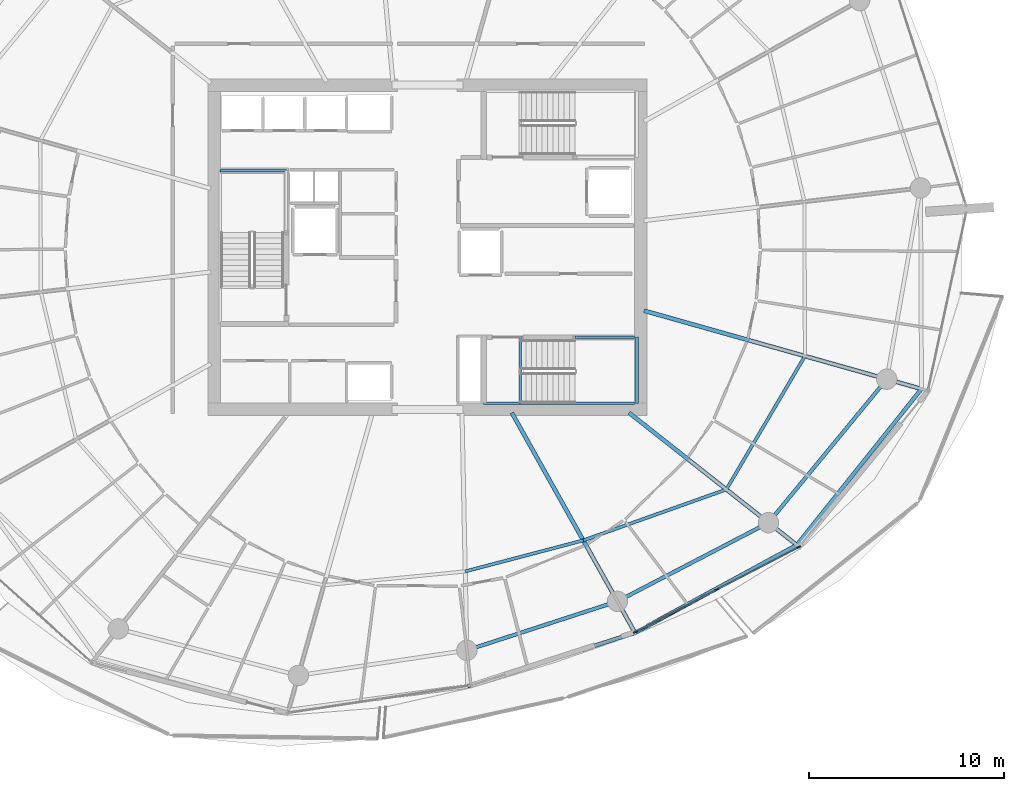
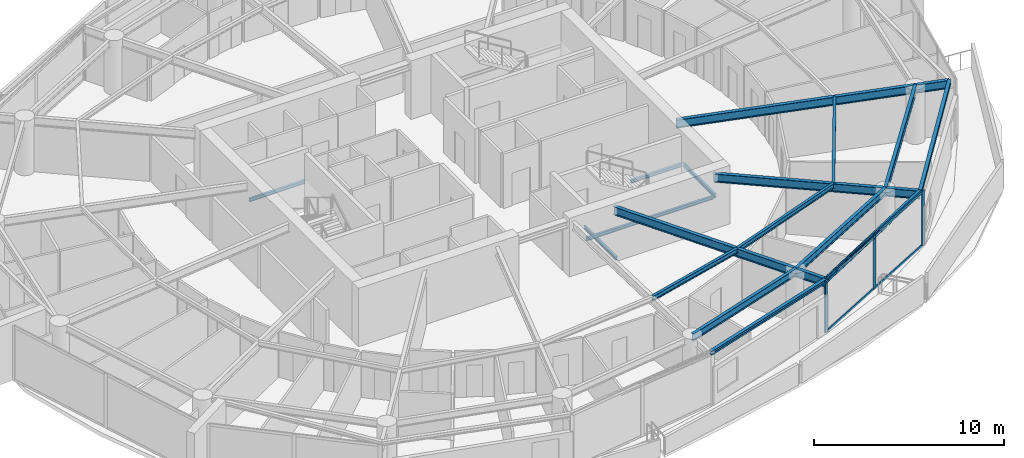
# One storey, part 6 of 21: 17 beams, 7 members, 1 element without a shape of its own.
"""IFC4 building model written with IfcOpenShell, lengths in metres."""

from ifc_helpers import new_model, si_unit, direction, frame, origin, origin_2d, place, context, subcontext, project, spatial, rectangle, i_section, extrude, material, layer, layer_set, material_profile, profile_set, type_object, element, aggregate, save


model = new_model("IFC4")

# Units and contexts
model_context = context("Model", 3, precision=1e-05, world=origin(), true_north=direction((0.0, 1.0)))
body_context = subcontext(model_context, "Body", "Model", "MODEL_VIEW")
ifc_project = project(units=[si_unit("LENGTHUNIT", "METRE"), si_unit("AREAUNIT", "SQUARE_METRE"), si_unit("VOLUMEUNIT", "CUBIC_METRE"), si_unit("PLANEANGLEUNIT", "RADIAN"), si_unit("MASSUNIT", "GRAM", prefix="KILO")], contexts=[model_context])

# Site, building, storey
site_placement = place(None, origin())
site = spatial("IfcSite", under=ifc_project, at=site_placement, CompositionType="ELEMENT")
building_placement = place(site_placement, origin())
building = spatial("IfcBuilding", under=site, at=building_placement, Name="Kazma Halo Residences", CompositionType="ELEMENT")
storey_placement = place(building_placement, frame((0.0, 0.0, 187.800048828125)))
storey = spatial("IfcBuildingStorey", under=building, at=storey_placement, Name="L47", CompositionType="ELEMENT", Elevation=187.800048828125)

# Beams
ifc_material_1 = material(Name="Steel S355", Category="steel")
ifc_material_profile_1 = material_profile(ifc_material_1, i_section(OverallWidth=0.201904296875, OverallDepth=0.2470703125, WebThickness=0.00732421875, FlangeThickness=0.010986328125, FilletRadius=0.011962890625, at=origin_2d()), Name="W250x49.1")
ifc_profile_set_1 = profile_set([ifc_material_profile_1], Name="Steel S355")
beam_type_1 = type_object("IfcBeamType", Name="BM-BAL-CANT", PredefinedType="BEAM", material=ifc_profile_set_1)
beam_1_placement = place(storey_placement, frame((50.48779296875, 19.45068359375, 3.37646484375), z_axis=(0.952538666424, 0.30441762263, 0.0), x_axis=(-0.30441762263, 0.952538666424, 0.0)))
element("IfcBeam", 1, at=beam_1_placement, inside=storey, type_object=beam_type_1, Name="L47 wave-balcony tie beam 12", PredefinedType="BEAM", context=body_context, shape_type="SweptSolid", body=[
    extrude(i_section(OverallWidth=0.201904296875, OverallDepth=0.2470703125, WebThickness=0.00732421875, FlangeThickness=0.010986328125, FilletRadius=0.011962890625, at=origin_2d()), origin(), (0.0, 0.0, 1.0), 9.029541015625),
])
beam_2_placement = place(storey_placement, frame((59.0888671875, 22.199462890625, 3.37646484375), z_axis=(0.878890557257, 0.477023467309, 0.0), x_axis=(-0.477023467309, 0.878890557257, 0.0)))
element("IfcBeam", 2, at=beam_2_placement, inside=storey, type_object=beam_type_1, Name="L47 wave-balcony tie beam 13", PredefinedType="BEAM", context=body_context, shape_type="SweptSolid", body=[
    extrude(i_section(OverallWidth=0.201904296875, OverallDepth=0.2470703125, WebThickness=0.00732421875, FlangeThickness=0.010986328125, FilletRadius=0.011962890625, at=origin_2d()), origin(), (0.0, 0.0, 1.0), 9.452880859375),
])
beam_3_placement = place(storey_placement, frame((67.39697265625, 26.708740234375, 3.37646484375), z_axis=(0.624195724924, 0.781268005864, 0.0), x_axis=(-0.781268005864, 0.624195724924, 0.0)))
element("IfcBeam", 3, at=beam_3_placement, inside=storey, type_object=beam_type_1, Name="L47 wave-balcony tie beam 14", PredefinedType="BEAM", context=body_context, shape_type="SweptSolid", body=[
    extrude(i_section(OverallWidth=0.201904296875, OverallDepth=0.2470703125, WebThickness=0.00732421875, FlangeThickness=0.010986328125, FilletRadius=0.011962890625, at=origin_2d()), origin(), (0.0, 0.0, 1.0), 10.258544921875),
])
ifc_material_profile_2 = material_profile(ifc_material_1, i_section(OverallWidth=0.208984375, OverallDepth=0.532958984375, WebThickness=0.01025390625, FlangeThickness=0.015625, FilletRadius=0.01611328125, at=origin_2d()), Name="W530x92")
ifc_profile_set_2 = profile_set([ifc_material_profile_2], Name="Steel S355")
beam_type_2 = type_object("IfcBeamType", Name="BM-RAD-W530", PredefinedType="BEAM", material=ifc_profile_set_2)
beam_4_placement = place(storey_placement, frame((52.76025390625, 33.5, 3.2333984375), z_axis=(0.488621736368, -0.872495729931, 0.0), x_axis=(0.872495729931, 0.488621736368, 0.0)))
element("IfcBeam", 4, at=beam_4_placement, inside=storey, type_object=beam_type_2, Name="L47 radial floor beam 13", PredefinedType="BEAM", context=body_context, shape_type="SweptSolid", body=[
    extrude(i_section(OverallWidth=0.208984375, OverallDepth=0.532958984375, WebThickness=0.01025390625, FlangeThickness=0.015625, FilletRadius=0.01611328125, at=origin_2d()), origin(), (0.0, 0.0, 1.0), 12.951904296875),
])
beam_5_placement = place(storey_placement, frame((58.7822265625, 33.5, 3.2333984375), z_axis=(0.785319521624, -0.619090662954, 0.0), x_axis=(0.619090662954, 0.785319521624, 0.0)))
element("IfcBeam", 5, at=beam_5_placement, inside=storey, type_object=beam_type_2, Name="L47 radial floor beam 14", PredefinedType="BEAM", context=body_context, shape_type="SweptSolid", body=[
    extrude(i_section(OverallWidth=0.208984375, OverallDepth=0.532958984375, WebThickness=0.01025390625, FlangeThickness=0.015625, FilletRadius=0.01611328125, at=origin_2d()), origin(), (0.0, 0.0, 1.0), 10.9697265625),
])
beam_6_placement = place(storey_placement, frame((59.550048828125, 38.74267578125, 3.2333984375), z_axis=(0.962449896911, -0.271459381741, 0.0), x_axis=(0.271459381741, 0.962449896911, 0.0)))
element("IfcBeam", 6, at=beam_6_placement, inside=storey, type_object=beam_type_2, Name="L47 radial floor beam 15", PredefinedType="BEAM", context=body_context, shape_type="SweptSolid", body=[
    extrude(i_section(OverallWidth=0.208984375, OverallDepth=0.532958984375, WebThickness=0.01025390625, FlangeThickness=0.015625, FilletRadius=0.01611328125, at=origin_2d()), origin(), (0.0, 0.0, 1.0), 14.80615234375),
])
ifc_material_profile_3 = material_profile(ifc_material_1, i_section(OverallWidth=0.1650390625, OverallDepth=0.31005859375, WebThickness=0.005859375, FlangeThickness=0.009765625, FilletRadius=0.011962890625, at=origin_2d()), Name="W310x38.7")
ifc_profile_set_3 = profile_set([ifc_material_profile_3], Name="Steel S355")
beam_type_3 = type_object("IfcBeamType", Name="BM-SEC-W310B", PredefinedType="JOIST", material=ifc_profile_set_3)
beam_7_placement = place(storey_placement, frame((50.366943359375, 25.3515625, 3.344970703125), z_axis=(0.967135034863, 0.254263297273, 0.0), x_axis=(-0.254263297273, 0.967135034863, 0.0)))
element("IfcBeam", 7, at=beam_7_placement, inside=storey, type_object=beam_type_3, Name="L47 circumferential floor joist 12", PredefinedType="JOIST", context=body_context, shape_type="SweptSolid", body=[
    extrude(i_section(OverallWidth=0.1650390625, OverallDepth=0.31005859375, WebThickness=0.005859375, FlangeThickness=0.009765625, FilletRadius=0.011962890625, at=origin_2d()), origin(), (0.0, 0.0, 1.0), 6.27001953125),
])
beam_8_placement = place(storey_placement, frame((56.430908203125, 26.94580078125, 3.344970703125), z_axis=(0.942107492186, 0.335311009612, 0.0), x_axis=(-0.335311009612, 0.942107492186, 0.0)))
element("IfcBeam", 8, at=beam_8_placement, inside=storey, type_object=beam_type_3, Name="L47 circumferential floor joist 13", PredefinedType="JOIST", context=body_context, shape_type="SweptSolid", body=[
    extrude(i_section(OverallWidth=0.1650390625, OverallDepth=0.31005859375, WebThickness=0.005859375, FlangeThickness=0.009765625, FilletRadius=0.011962890625, at=origin_2d()), origin(), (0.0, 0.0, 1.0), 7.79931640625),
])
beam_9_placement = place(storey_placement, frame((63.77880859375, 29.56103515625, 3.344970703125), z_axis=(0.507638586433, 0.861570116453, 0.0), x_axis=(-0.861570116453, 0.507638586433, 0.0)))
element("IfcBeam", 9, at=beam_9_placement, inside=storey, type_object=beam_type_3, Name="L47 circumferential floor joist 14", PredefinedType="JOIST", context=body_context, shape_type="SweptSolid", body=[
    extrude(i_section(OverallWidth=0.1650390625, OverallDepth=0.31005859375, WebThickness=0.005859375, FlangeThickness=0.009765625, FilletRadius=0.011962890625, at=origin_2d()), origin(), (0.0, 0.0, 1.0), 7.951171875),
])
ifc_material_profile_4 = material_profile(ifc_material_1, i_section(OverallWidth=0.18994140625, OverallDepth=0.45703125, WebThickness=0.009033203125, FlangeThickness=0.014404296875, FilletRadius=0.01611328125, at=origin_2d()), Name="W460x74")
ifc_profile_set_4 = profile_set([ifc_material_profile_4], Name="Steel S355")
beam_type_4 = type_object("IfcBeamType", Name="BM-SPN-W460", PredefinedType="BEAM", material=ifc_profile_set_4)
beam_10_placement = place(storey_placement, frame((50.449951171875, 21.30029296875, 3.271484375), z_axis=(0.951048627281, 0.30904127321, 0.0), x_axis=(-0.30904127321, 0.951048627281, 0.0)))
element("IfcBeam", 10, at=beam_10_placement, inside=storey, type_object=beam_type_4, Name="L47 perimeter ring beam 12", PredefinedType="BEAM", context=body_context, shape_type="SweptSolid", body=[
    extrude(i_section(OverallWidth=0.18994140625, OverallDepth=0.45703125, WebThickness=0.009033203125, FlangeThickness=0.014404296875, FilletRadius=0.01611328125, at=origin_2d()), origin(), (0.0, 0.0, 1.0), 8.133056640625),
])
beam_11_placement = place(storey_placement, frame((58.184814453125, 23.813720703125, 3.271484375), z_axis=(0.886961243394, 0.461843861838, 0.0), x_axis=(-0.461843861838, 0.886961243394, 0.0)))
element("IfcBeam", 11, at=beam_11_placement, inside=storey, type_object=beam_type_4, Name="L47 perimeter ring beam 13", PredefinedType="BEAM", context=body_context, shape_type="SweptSolid", body=[
    extrude(i_section(OverallWidth=0.18994140625, OverallDepth=0.45703125, WebThickness=0.009033203125, FlangeThickness=0.014404296875, FilletRadius=0.01611328125, at=origin_2d()), origin(), (0.0, 0.0, 1.0), 8.748046875),
])
beam_12_placement = place(storey_placement, frame((65.944091796875, 27.85400390625, 3.271484375), z_axis=(0.63601715545, 0.771674917289, 0.0), x_axis=(-0.771674917289, 0.63601715545, 0.0)))
element("IfcBeam", 12, at=beam_12_placement, inside=storey, type_object=beam_type_4, Name="L47 perimeter ring beam 14", PredefinedType="BEAM", context=body_context, shape_type="SweptSolid", body=[
    extrude(i_section(OverallWidth=0.18994140625, OverallDepth=0.45703125, WebThickness=0.009033203125, FlangeThickness=0.014404296875, FilletRadius=0.01611328125, at=origin_2d()), origin(), (0.0, 0.0, 1.0), 9.552734375),
])
ifc_material_profile_5 = material_profile(ifc_material_1, i_section(OverallWidth=0.133056640625, OverallDepth=0.20703125, WebThickness=0.005859375, FlangeThickness=0.00830078125, FilletRadius=0.010009765625, at=origin_2d()), Name="W200x26.6")
ifc_profile_set_5 = profile_set([ifc_material_profile_5], Name="Steel S355")
beam_type_5 = type_object("IfcBeamType", Name="BM-TRIM-W200", PredefinedType="BEAM", material=ifc_profile_set_5)
beam_13_placement = place(storey_placement, frame((53.199951171875, 34.0, -0.360107421875), z_axis=(0.0, 1.0, 0.0), x_axis=(-1.0, 0.0, 0.0)))
element("IfcBeam", 13, at=beam_13_placement, inside=storey, type_object=beam_type_5, Name="L47 ST-03 floor landing support beam", PredefinedType="BEAM", context=body_context, shape_type="SweptSolid", body=[
    extrude(i_section(OverallWidth=0.133056640625, OverallDepth=0.20703125, WebThickness=0.005859375, FlangeThickness=0.00830078125, FilletRadius=0.010009765625, at=origin_2d()), origin(), (0.0, 0.0, 1.0), 3.3798828125),
])
beam_14_placement = place(storey_placement, frame((37.780029296875, 45.93994140625, 1.570068359375), z_axis=(1.0, 0.0, 0.0), x_axis=(0.0, 1.0, 0.0)))
element("IfcBeam", 14, at=beam_14_placement, inside=storey, type_object=beam_type_5, Name="L47 ST-01 landing end wall ledger", PredefinedType="BEAM", context=body_context, shape_type="SweptSolid", body=[
    extrude(i_section(OverallWidth=0.133056640625, OverallDepth=0.20703125, WebThickness=0.005859375, FlangeThickness=0.00830078125, FilletRadius=0.010009765625, at=origin_2d()), origin(), (0.0, 0.0, 1.0), 3.39990234375),
])
beam_15_placement = place(storey_placement, frame((51.31005859375, 33.97998046875, 1.570068359375), z_axis=(1.0, 0.0, 0.0), x_axis=(0.0, 1.0, 0.0)))
element("IfcBeam", 15, at=beam_15_placement, inside=storey, type_object=beam_type_5, Name="L47 ST-03 landing south wall ledger", PredefinedType="BEAM", context=body_context, shape_type="SweptSolid", body=[
    extrude(i_section(OverallWidth=0.133056640625, OverallDepth=0.20703125, WebThickness=0.005859375, FlangeThickness=0.00830078125, FilletRadius=0.010009765625, at=origin_2d()), origin(), (0.0, 0.0, 1.0), 7.760009765625),
])
beam_16_placement = place(storey_placement, frame((56.0, 37.3798828125, 1.570068359375), z_axis=(1.0, 0.0, 0.0), x_axis=(0.0, 1.0, 0.0)))
element("IfcBeam", 16, at=beam_16_placement, inside=storey, type_object=beam_type_5, Name="L47 ST-03 landing north wall ledger", PredefinedType="BEAM", context=body_context, shape_type="SweptSolid", body=[
    extrude(i_section(OverallWidth=0.133056640625, OverallDepth=0.20703125, WebThickness=0.005859375, FlangeThickness=0.00830078125, FilletRadius=0.010009765625, at=origin_2d()), origin(), (0.0, 0.0, 1.0), 3.070068359375),
])
beam_17_placement = place(storey_placement, frame((59.18994140625, 33.97998046875, 1.570068359375), z_axis=(0.0, 1.0, 0.0), x_axis=(-1.0, 0.0, 0.0)))
element("IfcBeam", 17, at=beam_17_placement, inside=storey, type_object=beam_type_5, Name="L47 ST-03 landing end wall ledger", PredefinedType="BEAM", context=body_context, shape_type="SweptSolid", body=[
    extrude(i_section(OverallWidth=0.133056640625, OverallDepth=0.20703125, WebThickness=0.005859375, FlangeThickness=0.00830078125, FilletRadius=0.010009765625, at=origin_2d()), origin(), (0.0, 0.0, 1.0), 3.39990234375),
])

# Curtain wall, members
ifc_material_2 = material(Name="Aluminium AW-6063 T6 and Triple-Silver Low-E Glass", Category="aluminium")
ifc_layer = layer(ifc_material_2, 0.219970703125)
ifc_layer_set = layer_set([ifc_layer], Name="Aluminium AW-6063 T6 and Triple-Silver Low-E Glass")
curtain_wall_type = type_object("IfcCurtainWallType", Name="CW-SYS-4", PredefinedType="NOTDEFINED", material=ifc_layer_set)
curtain_wall_placement = place(storey_placement, origin())
curtain_wall = element("IfcCurtainWall", 18, at=curtain_wall_placement, inside=storey, type_object=curtain_wall_type, Name="L47 unitised curtain wall B13", PredefinedType="NOTDEFINED")
ifc_material_3 = material(Name="Aluminium AW-6063 T6", Category="aluminium")
ifc_material_profile_6 = material_profile(ifc_material_3, rectangle(XDim=0.074951171875, YDim=0.219970703125, at=origin_2d()), Name="CWM-75x220")
ifc_profile_set_6 = profile_set([ifc_material_profile_6], Name="Aluminium AW-6063 T6")
member_type_1 = type_object("IfcMemberType", Name="CW-SYS-4-MUL", PredefinedType="MULLION", material=ifc_profile_set_6)
member_1_placement = place(storey_placement, frame((59.105712890625, 22.24609375, 0.0), z_axis=(0.0, 0.0, 1.0), x_axis=(-0.460873851097, 0.887465657575, 0.0)))
member_1 = element("IfcMember", 19, at=member_1_placement, type_object=member_type_1, Name="CWS-4 mullion 1", PredefinedType="MULLION", context=body_context, shape_type="SweptSolid", body=[
    extrude(rectangle(XDim=0.074951171875, YDim=0.219970703125, at=origin_2d()), origin(), (0.0, 0.0, 1.0), 3.5),
])
member_2_placement = place(storey_placement, frame((63.294677734375, 24.421630859375, 0.0), z_axis=(0.0, 0.0, 1.0), x_axis=(-0.460873851097, 0.887465657575, 0.0)))
member_2 = element("IfcMember", 20, at=member_2_placement, type_object=member_type_1, Name="CWS-4 mullion 2", PredefinedType="MULLION", context=body_context, shape_type="SweptSolid", body=[
    extrude(rectangle(XDim=0.074951171875, YDim=0.219970703125, at=origin_2d()), origin(), (0.0, 0.0, 1.0), 3.5),
])
member_3_placement = place(storey_placement, frame((67.4833984375, 26.596923828125, 0.0), z_axis=(0.0, 0.0, 1.0), x_axis=(-0.460873851097, 0.887465657575, 0.0)))
member_3 = element("IfcMember", 21, at=member_3_placement, type_object=member_type_1, Name="CWS-4 mullion 3", PredefinedType="MULLION", context=body_context, shape_type="SweptSolid", body=[
    extrude(rectangle(XDim=0.074951171875, YDim=0.219970703125, at=origin_2d()), origin(), (0.0, 0.0, 1.0), 3.5),
])
ifc_material_profile_7 = material_profile(ifc_material_3, rectangle(XDim=0.074951171875, YDim=0.1650390625, at=origin_2d()), Name="CWT-75x165")
ifc_profile_set_7 = profile_set([ifc_material_profile_7], Name="Aluminium AW-6063 T6")
member_type_2 = type_object("IfcMemberType", Name="CW-SYS-4-TRN", PredefinedType="USERDEFINED", material=ifc_profile_set_7)
member_4_placement = place(storey_placement, frame((59.138916015625, 22.263427734375, 0.037353515625), z_axis=(0.887457630519, 0.460889307789, 0.0), x_axis=(-0.460889307789, 0.887457630519, 0.0)))
member_4 = element("IfcMember", 22, at=member_4_placement, type_object=member_type_2, Name="CWS-4 transom 1.1", ObjectType="TRANSOM", PredefinedType="USERDEFINED", context=body_context, shape_type="SweptSolid", body=[
    extrude(rectangle(XDim=0.074951171875, YDim=0.1650390625, at=origin_2d()), origin(), (0.0, 0.0, 1.0), 4.64501953125),
])
member_5_placement = place(storey_placement, frame((59.138916015625, 22.263427734375, 3.46240234375), z_axis=(0.887457630519, 0.460889307789, 0.0), x_axis=(-0.460889307789, 0.887457630519, 0.0)))
member_5 = element("IfcMember", 23, at=member_5_placement, type_object=member_type_2, Name="CWS-4 transom 1.2", ObjectType="TRANSOM", PredefinedType="USERDEFINED", context=body_context, shape_type="SweptSolid", body=[
    extrude(rectangle(XDim=0.074951171875, YDim=0.1650390625, at=origin_2d()), origin(), (0.0, 0.0, 1.0), 4.64501953125),
])
member_6_placement = place(storey_placement, frame((63.327880859375, 24.438720703125, 0.037353515625), z_axis=(0.887457630519, 0.460889307789, 0.0), x_axis=(-0.460889307789, 0.887457630519, 0.0)))
member_6 = element("IfcMember", 24, at=member_6_placement, type_object=member_type_2, Name="CWS-4 transom 2.1", ObjectType="TRANSOM", PredefinedType="USERDEFINED", context=body_context, shape_type="SweptSolid", body=[
    extrude(rectangle(XDim=0.074951171875, YDim=0.1650390625, at=origin_2d()), origin(), (0.0, 0.0, 1.0), 4.64501953125),
])
member_7_placement = place(storey_placement, frame((63.327880859375, 24.438720703125, 3.46240234375), z_axis=(0.887457630519, 0.460889307789, 0.0), x_axis=(-0.460889307789, 0.887457630519, 0.0)))
member_7 = element("IfcMember", 25, at=member_7_placement, type_object=member_type_2, Name="CWS-4 transom 2.2", ObjectType="TRANSOM", PredefinedType="USERDEFINED", context=body_context, shape_type="SweptSolid", body=[
    extrude(rectangle(XDim=0.074951171875, YDim=0.1650390625, at=origin_2d()), origin(), (0.0, 0.0, 1.0), 4.64501953125),
])
aggregate(curtain_wall, [member_1, member_2, member_3, member_4, member_5, member_6, member_7])

save(model, "model.ifc")
